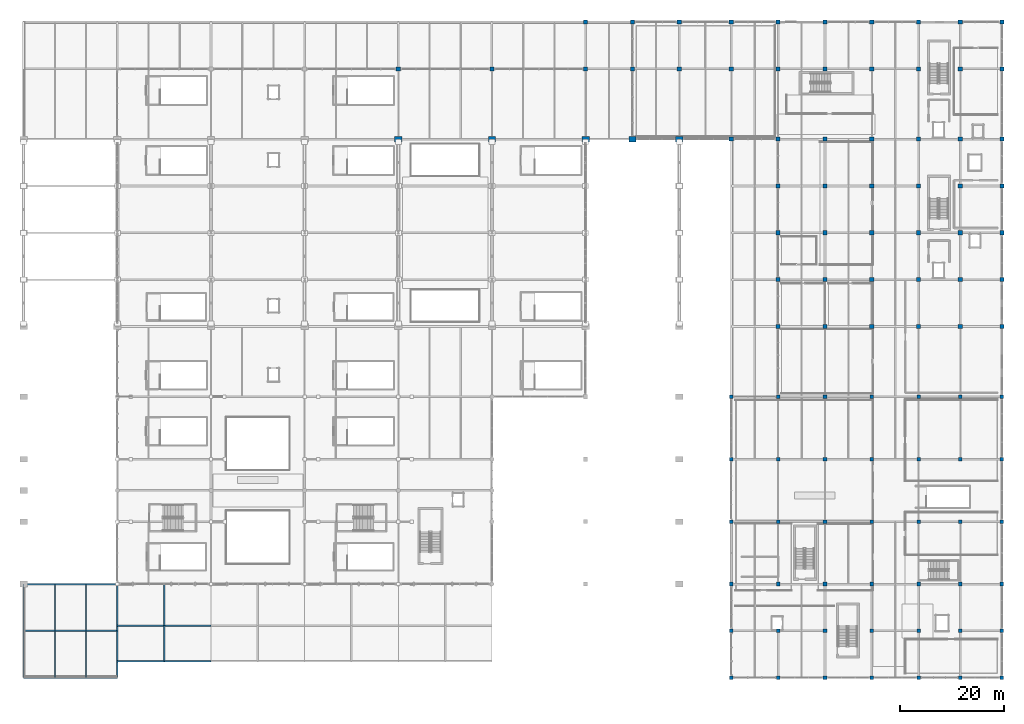
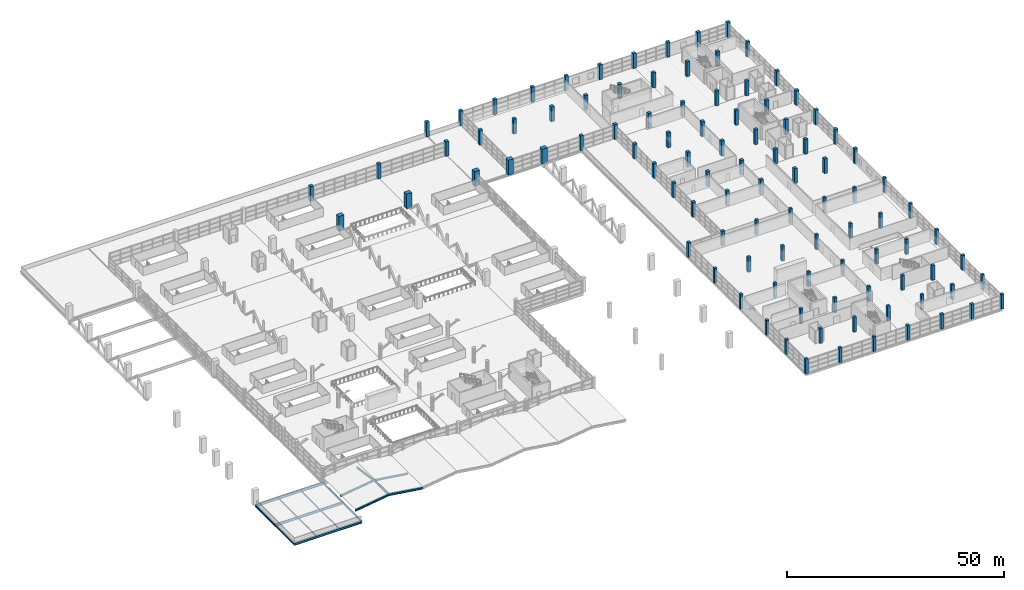
# One storey, part 7 of 136: 100 columns, 17 beams.
"""IFC4 building model written with IfcOpenShell, lengths in metres."""

from ifc_helpers import new_model, si_unit, direction, frame, origin, origin_2d, place, context, subcontext, project, spatial, rectangle, i_section, extrude, material, material_profile, profile_set, type_object, element, save


model = new_model("IFC4")

# Units and contexts
model_context = context("Model", 3, precision=1e-05, world=origin(), true_north=direction((0.0, 1.0)))
body_context = subcontext(model_context, "Body", "Model", "MODEL_VIEW")
ifc_project = project(units=[si_unit("LENGTHUNIT", "METRE"), si_unit("AREAUNIT", "SQUARE_METRE"), si_unit("VOLUMEUNIT", "CUBIC_METRE"), si_unit("PLANEANGLEUNIT", "RADIAN"), si_unit("MASSUNIT", "GRAM", prefix="KILO")], contexts=[model_context])

# Site, building, storey
site_placement = place(None, origin())
site = spatial("IfcSite", under=ifc_project, at=site_placement, CompositionType="ELEMENT")
building_placement = place(site_placement, origin())
building = spatial("IfcBuilding", under=site, at=building_placement, Name="Chuanluo Vaults Station", CompositionType="ELEMENT")
storey_placement = place(building_placement, frame((0.0, 0.0, 6.60009765625)))
storey = spatial("IfcBuildingStorey", under=building, at=storey_placement, Name="L01", CompositionType="ELEMENT", Elevation=6.60009765625)

# Columns
ifc_material_1 = material(Name="Concrete C40", Category="concrete")
ifc_material_profile_1 = material_profile(ifc_material_1, rectangle(XDim=0.699951171875, YDim=0.699951171875, at=origin_2d()))
ifc_profile_set_1 = profile_set([ifc_material_profile_1], Name="Concrete C40")
column_type_1 = type_object("IfcColumnType", Name="COL-RC-700x700", PredefinedType="COLUMN", material=ifc_profile_set_1)
for number, where, z_axis, x_axis, name in (
    (1, (136.0, 0.0, 0.0), (0.0, 0.0, 1.0), (1.0, 0.0, 0.0), "Column L01-084"),
    (2, (136.0, 9.0, 0.0), (0.0, 0.0, 1.0), (1.0, 0.0, 0.0), "Column L01-085"),
    (3, (136.0, 18.0, 0.0), (0.0, 0.0, 1.0), (1.0, 0.0, 0.0), "Column L01-086"),
    (4, (136.0, 30.0, 0.0), (0.0, 0.0, 1.0), (1.0, 0.0, 0.0), "Column L01-087"),
    (5, (136.0, 42.0, 0.0), (0.0, 0.0, 1.0), (1.0, 0.0, 0.0), "Column L01-088"),
    (6, (136.0, 54.0, 0.0), (0.0, 0.0, 1.0), (1.0, 0.0, 0.0), "Column L01-089"),
    (7, (145.0, 0.0, 0.0), (0.0, 0.0, 1.0), (1.0, 0.0, 0.0), "Column L01-097"),
    (8, (145.0, 9.0, 0.0), (0.0, 0.0, 1.0), (1.0, 0.0, 0.0), "Column L01-098"),
    (9, (145.0, 18.0, 0.0), (0.0, 0.0, 1.0), (1.0, 0.0, 0.0), "Column L01-099"),
    (10, (145.0, 30.0, 0.0), (0.0, 0.0, 1.0), (1.0, 0.0, 0.0), "Column L01-100"),
    (11, (145.0, 42.0, 0.0), (0.0, 0.0, 1.0), (1.0, 0.0, 0.0), "Column L01-101"),
    (12, (145.0, 54.0, 0.0), (0.0, 0.0, 1.0), (1.0, 0.0, 0.0), "Column L01-102"),
    (13, (154.0, 0.0, 0.0), (0.0, 0.0, 1.0), (1.0, 0.0, 0.0), "Column L01-110"),
    (14, (154.0, 9.0, 0.0), (0.0, 0.0, 1.0), (1.0, 0.0, 0.0), "Column L01-111"),
    (15, (154.0, 18.0, 0.0), (0.0, 0.0, 1.0), (1.0, 0.0, 0.0), "Column L01-112"),
    (16, (154.0, 30.0, 0.0), (0.0, 0.0, 1.0), (1.0, 0.0, 0.0), "Column L01-113"),
    (17, (154.0, 42.0, 0.0), (0.0, 0.0, 1.0), (1.0, 0.0, 0.0), "Column L01-114"),
    (18, (154.0, 54.0, 0.0), (0.0, 0.0, 1.0), (1.0, 0.0, 0.0), "Column L01-115"),
    (19, (163.0, 0.0, 0.0), (0.0, 0.0, 1.0), (1.0, 0.0, 0.0), "Column L01-123"),
    (20, (163.0, 9.0, 0.0), (0.0, 0.0, 1.0), (1.0, 0.0, 0.0), "Column L01-124"),
    (21, (163.0, 18.0, 0.0), (0.0, 0.0, 1.0), (1.0, 0.0, 0.0), "Column L01-125"),
    (22, (163.0, 30.0, 0.0), (0.0, 0.0, 1.0), (1.0, 0.0, 0.0), "Column L01-126"),
    (23, (163.0, 42.0, 0.0), (0.0, 0.0, 1.0), (1.0, 0.0, 0.0), "Column L01-127"),
    (24, (163.0, 54.0, 0.0), (0.0, 0.0, 1.0), (1.0, 0.0, 0.0), "Column L01-128"),
    (25, (172.0, 0.0, 0.0), (0.0, 0.0, 1.0), (1.0, 0.0, 0.0), "Column L01-136"),
    (26, (172.0, 9.0, 0.0), (0.0, 0.0, 1.0), (1.0, 0.0, 0.0), "Column L01-137"),
    (27, (172.0, 18.0, 0.0), (0.0, 0.0, 1.0), (1.0, 0.0, 0.0), "Column L01-138"),
    (28, (172.0, 30.0, 0.0), (0.0, 0.0, 1.0), (1.0, 0.0, 0.0), "Column L01-139"),
    (29, (172.0, 42.0, 0.0), (0.0, 0.0, 1.0), (1.0, 0.0, 0.0), "Column L01-140"),
    (30, (172.0, 54.0, 0.0), (0.0, 0.0, 1.0), (1.0, 0.0, 0.0), "Column L01-141"),
    (31, (180.0, 0.0, 0.0), (0.0, 0.0, 1.0), (1.0, 0.0, 0.0), "Column L01-149"),
    (32, (180.0, 9.0, 0.0), (0.0, 0.0, 1.0), (1.0, 0.0, 0.0), "Column L01-150"),
    (33, (180.0, 18.0, 0.0), (0.0, 0.0, 1.0), (1.0, 0.0, 0.0), "Column L01-151"),
    (34, (180.0, 30.0, 0.0), (0.0, 0.0, 1.0), (1.0, 0.0, 0.0), "Column L01-152"),
    (35, (180.0, 42.0, 0.0), (0.0, 0.0, 1.0), (1.0, 0.0, 0.0), "Column L01-153"),
    (36, (180.0, 54.0, 0.0), (0.0, 0.0, 1.0), (1.0, 0.0, 0.0), "Column L01-154"),
    (37, (188.0, 0.0, 0.0), (0.0, 0.0, 1.0), (1.0, 0.0, 0.0), "Column L01-162"),
    (38, (188.0, 9.0, 0.0), (0.0, 0.0, 1.0), (1.0, 0.0, 0.0), "Column L01-163"),
    (39, (188.0, 18.0, 0.0), (0.0, 0.0, 1.0), (1.0, 0.0, 0.0), "Column L01-164"),
    (40, (188.0, 30.0, 0.0), (0.0, 0.0, 1.0), (1.0, 0.0, 0.0), "Column L01-165"),
    (41, (188.0, 42.0, 0.0), (0.0, 0.0, 1.0), (1.0, 0.0, 0.0), "Column L01-166"),
    (42, (188.0, 54.0, 0.0), (0.0, 0.0, 1.0), (1.0, 0.0, 0.0), "Column L01-167"),
):
    element("IfcColumn", number, at=place(storey_placement, frame(where, z_axis=z_axis, x_axis=x_axis)), inside=storey, type_object=column_type_1, Name=name, PredefinedType="COLUMN", context=body_context, shape_type="SweptSolid", body=[
        extrude(rectangle(XDim=0.699951171875, YDim=0.699951171875, at=origin_2d()), origin(), (0.0, 0.0, 1.0), 4.199951171875),
    ])
ifc_material_2 = material(Name="Concrete C40", Category="concrete")
ifc_material_profile_2 = material_profile(ifc_material_2, rectangle(XDim=0.800048828125, YDim=0.800048828125, at=origin_2d()))
ifc_profile_set_2 = profile_set([ifc_material_profile_2], Name="Concrete C40")
column_type_2 = type_object("IfcColumnType", Name="COL-RC-800x800", PredefinedType="COLUMN", material=ifc_profile_set_2)
for number, where, z_axis, x_axis, name in (
    (43, (72.0, 117.0, 0.0), (0.0, 0.0, 1.0), (1.0, 0.0, 0.0), "Column L01-051"),
    (44, (90.0, 117.0, 0.0), (0.0, 0.0, 1.0), (1.0, 0.0, 0.0), "Column L01-060"),
    (45, (108.0, 117.0, 0.0), (0.0, 0.0, 1.0), (1.0, 0.0, 0.0), "Column L01-068"),
    (46, (108.0, 126.0, 0.0), (0.0, 0.0, 1.0), (1.0, 0.0, 0.0), "Column L01-069"),
    (47, (117.0, 117.0, 0.0), (0.0, 0.0, 1.0), (1.0, 0.0, 0.0), "Column L01-071"),
    (48, (117.0, 126.0, 0.0), (0.0, 0.0, 1.0), (1.0, 0.0, 0.0), "Column L01-072"),
    (49, (126.0, 117.0, 0.0), (0.0, 0.0, 1.0), (1.0, 0.0, 0.0), "Column L01-082"),
    (50, (126.0, 126.0, 0.0), (0.0, 0.0, 1.0), (1.0, 0.0, 0.0), "Column L01-083"),
    (51, (136.0, 103.5, 0.0), (0.0, 0.0, 1.0), (1.0, 0.0, 0.0), "Column L01-094"),
    (52, (136.0, 117.0, 0.0), (0.0, 0.0, 1.0), (1.0, 0.0, 0.0), "Column L01-095"),
    (53, (136.0, 126.0, 0.0), (0.0, 0.0, 1.0), (1.0, 0.0, 0.0), "Column L01-096"),
    (54, (145.0, 67.5, 0.0), (0.0, 0.0, 1.0), (1.0, 0.0, 0.0), "Column L01-103"),
    (55, (145.0, 76.5, 0.0), (0.0, 0.0, 1.0), (1.0, 0.0, 0.0), "Column L01-104"),
    (56, (145.0, 85.5, 0.0), (0.0, 0.0, 1.0), (1.0, 0.0, 0.0), "Column L01-105"),
    (57, (145.0, 94.5, 0.0), (0.0, 0.0, 1.0), (1.0, 0.0, 0.0), "Column L01-106"),
    (58, (145.0, 103.5, 0.0), (0.0, 0.0, 1.0), (1.0, 0.0, 0.0), "Column L01-107"),
    (59, (145.0, 117.0, 0.0), (0.0, 0.0, 1.0), (1.0, 0.0, 0.0), "Column L01-108"),
    (60, (145.0, 126.0, 0.0), (0.0, 0.0, 1.0), (1.0, 0.0, 0.0), "Column L01-109"),
    (61, (154.0, 67.5, 0.0), (0.0, 0.0, 1.0), (1.0, 0.0, 0.0), "Column L01-116"),
    (62, (154.0, 76.5, 0.0), (0.0, 0.0, 1.0), (1.0, 0.0, 0.0), "Column L01-117"),
    (63, (154.0, 85.5, 0.0), (0.0, 0.0, 1.0), (1.0, 0.0, 0.0), "Column L01-118"),
    (64, (154.0, 94.5, 0.0), (0.0, 0.0, 1.0), (1.0, 0.0, 0.0), "Column L01-119"),
    (65, (154.0, 103.5, 0.0), (0.0, 0.0, 1.0), (1.0, 0.0, 0.0), "Column L01-120"),
    (66, (154.0, 117.0, 0.0), (0.0, 0.0, 1.0), (1.0, 0.0, 0.0), "Column L01-121"),
    (67, (154.0, 126.0, 0.0), (0.0, 0.0, 1.0), (1.0, 0.0, 0.0), "Column L01-122"),
    (68, (163.0, 67.5, 0.0), (0.0, 0.0, 1.0), (1.0, 0.0, 0.0), "Column L01-129"),
    (69, (163.0, 76.5, 0.0), (0.0, 0.0, 1.0), (1.0, 0.0, 0.0), "Column L01-130"),
    (70, (163.0, 85.5, 0.0), (0.0, 0.0, 1.0), (1.0, 0.0, 0.0), "Column L01-131"),
    (71, (163.0, 94.5, 0.0), (0.0, 0.0, 1.0), (1.0, 0.0, 0.0), "Column L01-132"),
    (72, (163.0, 103.5, 0.0), (0.0, 0.0, 1.0), (1.0, 0.0, 0.0), "Column L01-133"),
    (73, (163.0, 117.0, 0.0), (0.0, 0.0, 1.0), (1.0, 0.0, 0.0), "Column L01-134"),
    (74, (163.0, 126.0, 0.0), (0.0, 0.0, 1.0), (1.0, 0.0, 0.0), "Column L01-135"),
    (75, (172.0, 67.5, 0.0), (0.0, 0.0, 1.0), (1.0, 0.0, 0.0), "Column L01-142"),
    (76, (172.0, 76.5, 0.0), (0.0, 0.0, 1.0), (1.0, 0.0, 0.0), "Column L01-143"),
    (77, (172.0, 85.5, 0.0), (0.0, 0.0, 1.0), (1.0, 0.0, 0.0), "Column L01-144"),
    (78, (172.0, 94.5, 0.0), (0.0, 0.0, 1.0), (1.0, 0.0, 0.0), "Column L01-145"),
    (79, (172.0, 103.5, 0.0), (0.0, 0.0, 1.0), (1.0, 0.0, 0.0), "Column L01-146"),
    (80, (172.0, 117.0, 0.0), (0.0, 0.0, 1.0), (1.0, 0.0, 0.0), "Column L01-147"),
    (81, (172.0, 126.0, 0.0), (0.0, 0.0, 1.0), (1.0, 0.0, 0.0), "Column L01-148"),
    (82, (180.0, 67.5, 0.0), (0.0, 0.0, 1.0), (1.0, 0.0, 0.0), "Column L01-155"),
    (83, (180.0, 76.5, 0.0), (0.0, 0.0, 1.0), (1.0, 0.0, 0.0), "Column L01-156"),
    (84, (180.0, 85.5, 0.0), (0.0, 0.0, 1.0), (1.0, 0.0, 0.0), "Column L01-157"),
    (85, (180.0, 94.5, 0.0), (0.0, 0.0, 1.0), (1.0, 0.0, 0.0), "Column L01-158"),
    (86, (180.0, 103.5, 0.0), (0.0, 0.0, 1.0), (1.0, 0.0, 0.0), "Column L01-159"),
    (87, (180.0, 117.0, 0.0), (0.0, 0.0, 1.0), (1.0, 0.0, 0.0), "Column L01-160"),
    (88, (180.0, 126.0, 0.0), (0.0, 0.0, 1.0), (1.0, 0.0, 0.0), "Column L01-161"),
    (89, (188.0, 67.5, 0.0), (0.0, 0.0, 1.0), (1.0, 0.0, 0.0), "Column L01-168"),
    (90, (188.0, 76.5, 0.0), (0.0, 0.0, 1.0), (1.0, 0.0, 0.0), "Column L01-169"),
    (91, (188.0, 85.5, 0.0), (0.0, 0.0, 1.0), (1.0, 0.0, 0.0), "Column L01-170"),
    (92, (188.0, 94.5, 0.0), (0.0, 0.0, 1.0), (1.0, 0.0, 0.0), "Column L01-171"),
    (93, (188.0, 103.5, 0.0), (0.0, 0.0, 1.0), (1.0, 0.0, 0.0), "Column L01-172"),
    (94, (188.0, 117.0, 0.0), (0.0, 0.0, 1.0), (1.0, 0.0, 0.0), "Column L01-173"),
    (95, (188.0, 126.0, 0.0), (0.0, 0.0, 1.0), (1.0, 0.0, 0.0), "Column L01-174"),
):
    element("IfcColumn", number, at=place(storey_placement, frame(where, z_axis=z_axis, x_axis=x_axis)), inside=storey, type_object=column_type_2, Name=name, PredefinedType="COLUMN", context=body_context, shape_type="SweptSolid", body=[
        extrude(rectangle(XDim=0.800048828125, YDim=0.800048828125, at=origin_2d()), origin(), (0.0, 0.0, 1.0), 4.199951171875),
    ])
ifc_material_3 = material(Name="Concrete C50", Category="concrete")
ifc_material_profile_3 = material_profile(ifc_material_3, rectangle(XDim=1.39990234375, YDim=1.10009765625, at=origin_2d()))
ifc_profile_set_3 = profile_set([ifc_material_profile_3], Name="Concrete C50")
column_type_3 = type_object("IfcColumnType", Name="COL-SRC-1400x1100", PredefinedType="COLUMN", material=ifc_profile_set_3)
for number, where, z_axis, x_axis, name in (
    (96, (72.0, 103.5, 0.0), (0.0, 0.0, 1.0), (1.0, 0.0, 0.0), "Column L01-050"),
    (97, (90.0, 103.5, 0.0), (0.0, 0.0, 1.0), (1.0, 0.0, 0.0), "Column L01-059"),
    (98, (108.0, 103.5, 0.0), (0.0, 0.0, 1.0), (1.0, 0.0, 0.0), "Column L01-067"),
    (99, (117.0, 103.5, 0.0), (0.0, 0.0, 1.0), (1.0, 0.0, 0.0), "Column L01-070"),
    (100, (126.0, 103.5, 0.0), (0.0, 0.0, 1.0), (1.0, 0.0, 0.0), "Column L01-081"),
):
    element("IfcColumn", number, at=place(storey_placement, frame(where, z_axis=z_axis, x_axis=x_axis)), inside=storey, type_object=column_type_3, Name=name, PredefinedType="COLUMN", context=body_context, shape_type="SweptSolid", body=[
        extrude(rectangle(XDim=1.39990234375, YDim=1.10009765625, at=origin_2d()), origin(), (0.0, 0.0, 1.0), 4.199951171875),
    ])

# Beams
ifc_material_4 = material(Name="Steel Q355C", Category="steel")
ifc_material_profile_4 = material_profile(ifc_material_4, i_section(OverallWidth=0.294921875, OverallDepth=0.510009765625, WebThickness=0.010986328125, FlangeThickness=0.01806640625, FilletRadius=0.02001953125, at=origin_2d()))
ifc_profile_set_4 = profile_set([ifc_material_profile_4], Name="Steel Q355C")
beam_type_1 = type_object("IfcBeamType", Name="BM-CAN-500", PredefinedType="BEAM", material=ifc_profile_set_4)
beam_1_placement = place(storey_placement, frame((27.0, 3.199951171875, 2.039794921875), z_axis=(0.0, 0.999982876596, -0.005852052163), x_axis=(-1.0, 0.0, 0.0)))
element("IfcBeam", 101, at=beam_1_placement, inside=storey, type_object=beam_type_1, Name="Arrival canopy ridge transverse girder 1A", PredefinedType="BEAM", context=body_context, shape_type="SweptSolid", body=[
    extrude(i_section(OverallWidth=0.294921875, OverallDepth=0.510009765625, WebThickness=0.010986328125, FlangeThickness=0.01806640625, FilletRadius=0.02001953125, at=origin_2d()), origin(), (0.0, 0.0, 1.0), 6.800048828125),
])
beam_2_placement = place(storey_placement, frame((27.0, 10.0, 2.0), z_axis=(0.0, 0.989822833852, -0.142305156564), x_axis=(-1.0, 0.0, 0.0)))
element("IfcBeam", 102, at=beam_2_placement, inside=storey, type_object=beam_type_1, Name="Arrival canopy ridge transverse girder 1B", PredefinedType="BEAM", context=body_context, shape_type="SweptSolid", body=[
    extrude(i_section(OverallWidth=0.294921875, OverallDepth=0.510009765625, WebThickness=0.010986328125, FlangeThickness=0.01806640625, FilletRadius=0.02001953125, at=origin_2d()), origin(), (0.0, 0.0, 1.0), 8.082275390625),
])
for number, where, z_axis, x_axis, name in (
    (103, (18.0, 3.199951171875, 0.789794921875), (0.99003685604, 0.0, 0.140808464524), (0.0, 1.0, 0.0), "Arrival canopy front arch girder 1-W"),
    (104, (18.0, 10.0, 0.744873046875), (0.99003685604, 0.0, 0.140808464524), (0.0, 1.0, 0.0), "Arrival canopy mid arch girder 1-W"),
    (105, (27.0, 3.199951171875, 2.06982421875), (0.99003685604, 0.0, -0.140808464524), (0.0, 1.0, 0.0), "Arrival canopy front arch girder 1-E"),
    (106, (27.0, 10.0, 2.02490234375), (0.99003685604, 0.0, -0.140808464524), (0.0, 1.0, 0.0), "Arrival canopy mid arch girder 1-E"),
):
    element("IfcBeam", number, at=place(storey_placement, frame(where, z_axis=z_axis, x_axis=x_axis)), inside=storey, type_object=beam_type_1, Name=name, PredefinedType="BEAM", context=body_context, shape_type="SweptSolid", body=[
        extrude(i_section(OverallWidth=0.294921875, OverallDepth=0.510009765625, WebThickness=0.010986328125, FlangeThickness=0.01806640625, FilletRadius=0.02001953125, at=origin_2d()), origin(), (0.0, 0.0, 1.0), 9.090576171875),
    ])
ifc_material_5 = material(Name="Steel Q355C", Category="steel")
ifc_material_profile_5 = material_profile(ifc_material_5, i_section(OverallWidth=0.300048828125, OverallDepth=0.389892578125, WebThickness=0.010009765625, FlangeThickness=0.01611328125, FilletRadius=0.02001953125, at=origin_2d()))
ifc_profile_set_5 = profile_set([ifc_material_profile_5], Name="Steel Q355C")
beam_type_2 = type_object("IfcBeamType", Name="BM-GRD-400", PredefinedType="BEAM", material=ifc_profile_set_5)
for number, where, z_axis, x_axis, name in (
    (107, (18.0, 0.0, -0.400146484375), (0.0, 1.0, 0.0), (-1.0, 0.0, 0.0), "Floor girder BM:GY:L01:0410"),
    (108, (18.0, 9.0, -0.400146484375), (0.0, 1.0, 0.0), (-1.0, 0.0, 0.0), "Floor girder BM:GY:L01:0411"),
):
    element("IfcBeam", number, at=place(storey_placement, frame(where, z_axis=z_axis, x_axis=x_axis)), inside=storey, type_object=beam_type_2, Name=name, PredefinedType="BEAM", context=body_context, shape_type="SweptSolid", body=[
        extrude(i_section(OverallWidth=0.300048828125, OverallDepth=0.389892578125, WebThickness=0.010009765625, FlangeThickness=0.01611328125, FilletRadius=0.02001953125, at=origin_2d()), origin(), (0.0, 0.0, 1.0), 9.0),
    ])
ifc_material_6 = material(Name="Steel Q355C", Category="steel")
ifc_material_profile_6 = material_profile(ifc_material_6, i_section(OverallWidth=0.300048828125, OverallDepth=0.699951171875, WebThickness=0.012939453125, FlangeThickness=0.02392578125, FilletRadius=0.02197265625, at=origin_2d()))
ifc_profile_set_6 = profile_set([ifc_material_profile_6], Name="Steel Q355C")
beam_type_3 = type_object("IfcBeamType", Name="BM-GRD-700", PredefinedType="USERDEFINED", material=ifc_profile_set_6)
for number, where, z_axis, x_axis, name in (
    (109, (0.0, 9.0, -0.55517578125), (1.0, 0.0, 0.0), (0.0, 1.0, 0.0), "Floor girder BM:GX:L01:0286"),
    (110, (0.0, 18.0, -0.55517578125), (1.0, 0.0, 0.0), (0.0, 1.0, 0.0), "Floor girder BM:GX:L01:0291"),
):
    element("IfcBeam", number, at=place(storey_placement, frame(where, z_axis=z_axis, x_axis=x_axis)), inside=storey, type_object=beam_type_3, Name=name, ObjectType="GIRDER", PredefinedType="USERDEFINED", context=body_context, shape_type="SweptSolid", body=[
        extrude(i_section(OverallWidth=0.300048828125, OverallDepth=0.699951171875, WebThickness=0.012939453125, FlangeThickness=0.02392578125, FilletRadius=0.02197265625, at=origin_2d()), origin(), (0.0, 0.0, 1.0), 18.0),
    ])
ifc_material_7 = material(Name="Steel Q355C", Category="steel")
ifc_material_profile_7 = material_profile(ifc_material_7, i_section(OverallWidth=0.125, OverallDepth=0.25, WebThickness=0.006103515625, FlangeThickness=0.009033203125, FilletRadius=0.011962890625, at=origin_2d()))
ifc_profile_set_7 = profile_set([ifc_material_profile_7], Name="Steel Q355C")
beam_type_4 = type_object("IfcBeamType", Name="BM-SEC-250", PredefinedType="JOIST", material=ifc_profile_set_7)
for number, where, z_axis, x_axis, name in (
    (111, (6.0, 0.110107421875, -0.330078125), (0.0, 1.0, 0.0), (-1.0, 0.0, 0.0), "Composite secondary joist 0104"),
    (112, (12.0, 0.110107421875, -0.330078125), (0.0, 1.0, 0.0), (-1.0, 0.0, 0.0), "Composite secondary joist 0105"),
):
    element("IfcBeam", number, at=place(storey_placement, frame(where, z_axis=z_axis, x_axis=x_axis)), inside=storey, type_object=beam_type_4, Name=name, PredefinedType="JOIST", context=body_context, shape_type="SweptSolid", body=[
        extrude(i_section(OverallWidth=0.125, OverallDepth=0.25, WebThickness=0.006103515625, FlangeThickness=0.009033203125, FilletRadius=0.011962890625, at=origin_2d()), origin(), (0.0, 0.0, 1.0), 8.73486328125),
    ])
for number, where, z_axis, x_axis, name in (
    (113, (6.0, 9.155029296875, -0.330078125), (0.0, 1.0, 0.0), (-1.0, 0.0, 0.0), "Composite secondary joist 0106"),
    (114, (12.0, 9.155029296875, -0.330078125), (0.0, 1.0, 0.0), (-1.0, 0.0, 0.0), "Composite secondary joist 0107"),
):
    element("IfcBeam", number, at=place(storey_placement, frame(where, z_axis=z_axis, x_axis=x_axis)), inside=storey, type_object=beam_type_4, Name=name, PredefinedType="JOIST", context=body_context, shape_type="SweptSolid", body=[
        extrude(i_section(OverallWidth=0.125, OverallDepth=0.25, WebThickness=0.006103515625, FlangeThickness=0.009033203125, FilletRadius=0.011962890625, at=origin_2d()), origin(), (0.0, 0.0, 1.0), 8.68994140625),
    ])
ifc_material_8 = material(Name="Steel Q355C", Category="steel")
ifc_material_profile_8 = material_profile(ifc_material_8, i_section(OverallWidth=0.205078125, OverallDepth=0.4599609375, WebThickness=0.009033203125, FlangeThickness=0.013916015625, FilletRadius=0.01611328125, at=origin_2d()))
ifc_profile_set_8 = profile_set([ifc_material_profile_8], Name="Steel Q355C")
beam_type_5 = type_object("IfcBeamType", Name="BM-SPN-450", PredefinedType="SPANDREL", material=ifc_profile_set_8)
for number, where, z_axis, x_axis, name in (
    (115, (0.0, 0.0, -0.43505859375), (0.0, 1.0, 0.0), (-1.0, 0.0, 0.0), "Floor girder BM:GY:L01:0406"),
    (116, (0.0, 9.0, -0.43505859375), (0.0, 1.0, 0.0), (-1.0, 0.0, 0.0), "Floor girder BM:GY:L01:0407"),
):
    element("IfcBeam", number, at=place(storey_placement, frame(where, z_axis=z_axis, x_axis=x_axis)), inside=storey, type_object=beam_type_5, Name=name, PredefinedType="SPANDREL", context=body_context, shape_type="SweptSolid", body=[
        extrude(i_section(OverallWidth=0.205078125, OverallDepth=0.4599609375, WebThickness=0.009033203125, FlangeThickness=0.013916015625, FilletRadius=0.01611328125, at=origin_2d()), origin(), (0.0, 0.0, 1.0), 9.0),
    ])
ifc_material_9 = material(Name="Steel Q355C", Category="steel")
ifc_material_profile_9 = material_profile(ifc_material_9, i_section(OverallWidth=0.2099609375, OverallDepth=0.580078125, WebThickness=0.010986328125, FlangeThickness=0.01708984375, FilletRadius=0.01806640625, at=origin_2d()))
ifc_profile_set_9 = profile_set([ifc_material_profile_9], Name="Steel Q355C")
beam_type_6 = type_object("IfcBeamType", Name="BM-SPN-600", PredefinedType="SPANDREL", material=ifc_profile_set_9)
beam_3_placement = place(storey_placement, frame((0.0, 0.0, -0.4951171875), z_axis=(1.0, 0.0, 0.0), x_axis=(0.0, 1.0, 0.0)))
element("IfcBeam", 117, at=beam_3_placement, inside=storey, type_object=beam_type_6, Name="Floor girder BM:GX:L01:0279", PredefinedType="SPANDREL", context=body_context, shape_type="SweptSolid", body=[
    extrude(i_section(OverallWidth=0.2099609375, OverallDepth=0.580078125, WebThickness=0.010986328125, FlangeThickness=0.01708984375, FilletRadius=0.01806640625, at=origin_2d()), origin(), (0.0, 0.0, 1.0), 18.0),
])

save(model, "model.ifc")
